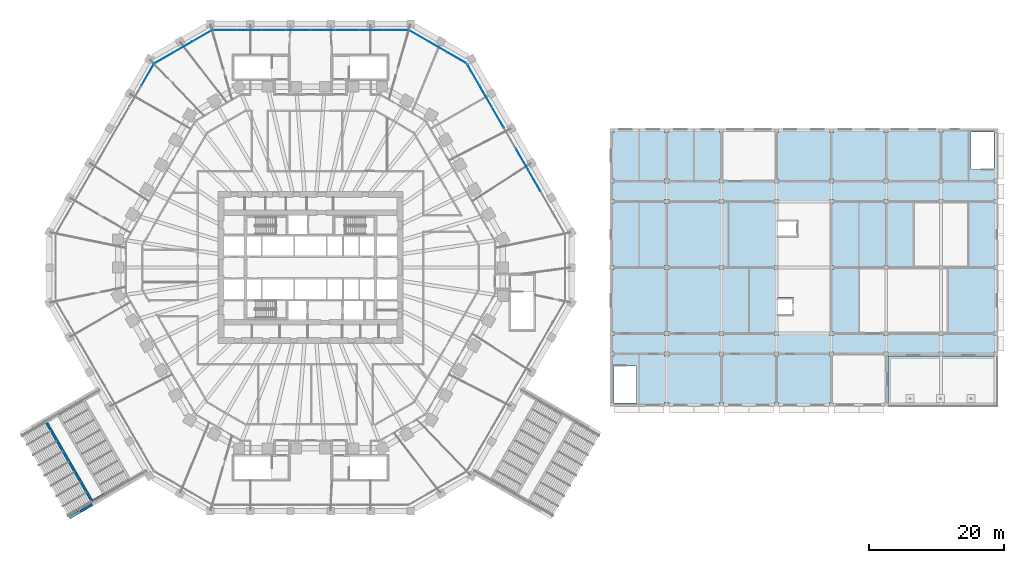
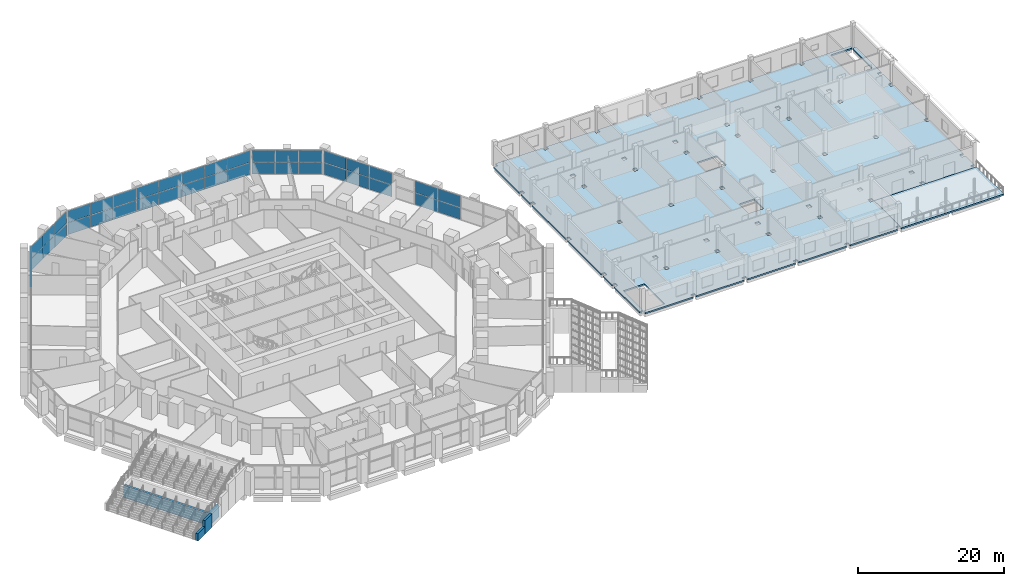
# One storey, part 18 of 38: 40 plates, 4 walls, 2 slabs, 5 elements without a shape of their own.
"""IFC4 building model written with IfcOpenShell, lengths in metres."""

from ifc_helpers import new_model, si_unit, direction, frame, frame_2d, origin, origin_2d, place, context, subcontext, project, spatial, polyline, rectangle, outline, extrude, material, layer, layer_set, type_object, element, aggregate, save


model = new_model("IFC4")

# Units and contexts
model_context = context("Model", 3, precision=1e-05, world=origin(), true_north=direction((0.0, 1.0)))
body_context = subcontext(model_context, "Body", "Model", "MODEL_VIEW")
ifc_project = project(units=[si_unit("LENGTHUNIT", "METRE"), si_unit("AREAUNIT", "SQUARE_METRE"), si_unit("VOLUMEUNIT", "CUBIC_METRE"), si_unit("PLANEANGLEUNIT", "RADIAN"), si_unit("MASSUNIT", "GRAM", prefix="KILO")], contexts=[model_context])

# Site, building, storey
site_placement = place(None, origin())
site = spatial("IfcSite", under=ifc_project, at=site_placement, CompositionType="ELEMENT")
building_placement = place(site_placement, origin())
building = spatial("IfcBuilding", under=site, at=building_placement, Name="Frailejon Research Tower", CompositionType="ELEMENT")
storey_placement = place(building_placement, frame((0.0, 0.0, 10.199951171875)))
storey = spatial("IfcBuildingStorey", under=building, at=storey_placement, Name="L02", CompositionType="ELEMENT", Elevation=10.199951171875)

# Slabs
ifc_material_1 = material(Name="Concrete C35/45", Category="concrete")
ifc_layer_1 = layer(ifc_material_1, 0.25)
ifc_layer_set_1 = layer_set([ifc_layer_1], Name="HC flat slab 250")
slab_type_1 = type_object("IfcSlabType", Name="HC flat slab 250", PredefinedType="FLOOR", material=ifc_layer_set_1)
slab_1_placement = place(storey_placement, frame((0.0, 0.0, -0.25)))
element("IfcSlab", 1, at=slab_1_placement, inside=storey, type_object=slab_type_1, Name="HC floor slab L02", PredefinedType="FLOOR", context=body_context, shape_type="SweptSolid", body=[
    extrude(outline(polyline([(77.201904296875, -20.550048828125), (77.201904296875, -19.947998046875), (76.597900390625, -19.947998046875), (76.597900390625, -20.550048828125), (69.10205078125, -20.550048828125), (69.10205078125, -19.947998046875), (68.498046875, -19.947998046875), (68.498046875, -20.550048828125), (61.001953125, -20.550048828125), (61.001953125, -19.947998046875), (60.39794921875, -19.947998046875), (60.39794921875, -20.550048828125), (52.902099609375, -20.550048828125), (52.902099609375, -19.947998046875), (52.298095703125, -19.947998046875), (52.298095703125, -20.550048828125), (44.802001953125, -20.550048828125), (44.802001953125, -20.02001953125), (48.14990234375, -20.02001953125), (48.14990234375, -14.5029296875), (44.800048828125, -14.5029296875), (44.800048828125, -19.947998046875), (44.199951171875, -19.947998046875), (44.199951171875, -13.052001953125), (44.802001953125, -13.052001953125), (44.802001953125, -12.447998046875), (44.199951171875, -12.447998046875), (44.199951171875, -10.052001953125), (44.802001953125, -10.052001953125), (44.802001953125, -9.447998046875), (44.199951171875, -9.447998046875), (44.199951171875, -0.302001953125), (44.802001953125, -0.302001953125), (44.802001953125, 0.302001953125), (44.199951171875, 0.302001953125), (44.199951171875, 9.447998046875), (44.802001953125, 9.447998046875), (44.802001953125, 10.052001953125), (44.199951171875, 10.052001953125), (44.199951171875, 12.447998046875), (44.802001953125, 12.447998046875), (44.802001953125, 13.052001953125), (44.199951171875, 13.052001953125), (44.199951171875, 19.947998046875), (44.802001953125, 19.947998046875), (44.802001953125, 20.550048828125), (52.298095703125, 20.550048828125), (52.298095703125, 19.947998046875), (52.902099609375, 19.947998046875), (52.902099609375, 20.550048828125), (60.39794921875, 20.550048828125), (60.39794921875, 19.947998046875), (61.001953125, 19.947998046875), (61.001953125, 20.550048828125), (68.498046875, 20.550048828125), (68.498046875, 19.947998046875), (69.10205078125, 19.947998046875), (69.10205078125, 20.550048828125), (76.597900390625, 20.550048828125), (76.597900390625, 19.947998046875), (77.201904296875, 19.947998046875), (77.201904296875, 20.550048828125), (84.697998046875, 20.550048828125), (84.697998046875, 19.947998046875), (85.302001953125, 19.947998046875), (85.302001953125, 20.550048828125), (92.798095703125, 20.550048828125), (92.798095703125, 19.947998046875), (93.402099609375, 19.947998046875), (93.402099609375, 20.550048828125), (100.89794921875, 20.550048828125), (100.89794921875, 20.02001953125), (97.550048828125, 20.02001953125), (97.550048828125, 14.5029296875), (100.89990234375, 14.5029296875), (100.89990234375, 19.947998046875), (101.5, 19.947998046875), (101.5, 13.052001953125), (100.89794921875, 13.052001953125), (100.89794921875, 12.447998046875), (101.5, 12.447998046875), (101.5, 10.052001953125), (100.89794921875, 10.052001953125), (100.89794921875, 9.447998046875), (101.5, 9.447998046875), (101.5, 0.302001953125), (100.89794921875, 0.302001953125), (100.89794921875, -0.302001953125), (101.5, -0.302001953125), (101.5, -9.447998046875), (100.89794921875, -9.447998046875), (100.89794921875, -10.052001953125), (101.5, -10.052001953125), (101.5, -12.447998046875), (100.89794921875, -12.447998046875), (100.89794921875, -13.050048828125), (93.402099609375, -13.050048828125), (93.402099609375, -12.447998046875), (92.798095703125, -12.447998046875), (92.798095703125, -13.050048828125), (85.302001953125, -13.050048828125), (85.302001953125, -12.447998046875), (84.697998046875, -12.447998046875), (84.697998046875, -13.052001953125), (85.300048828125, -13.052001953125), (85.300048828125, -19.947998046875), (84.697998046875, -19.947998046875), (84.697998046875, -20.550048828125), (77.201904296875, -20.550048828125)]), holes=[polyline([(92.798095703125, 12.447998046875), (93.402099609375, 12.447998046875), (93.402099609375, 13.052001953125), (92.798095703125, 13.052001953125), (92.798095703125, 12.447998046875)]), polyline([(92.798095703125, 9.447998046875), (93.402099609375, 9.447998046875), (93.402099609375, 10.052001953125), (92.798095703125, 10.052001953125), (92.798095703125, 9.447998046875)]), polyline([(92.798095703125, -0.302001953125), (93.402099609375, -0.302001953125), (93.402099609375, 0.302001953125), (92.798095703125, 0.302001953125), (92.798095703125, -0.302001953125)]), polyline([(92.798095703125, -10.052001953125), (93.402099609375, -10.052001953125), (93.402099609375, -9.447998046875), (92.798095703125, -9.447998046875), (92.798095703125, -10.052001953125)]), polyline([(84.697998046875, 12.447998046875), (85.302001953125, 12.447998046875), (85.302001953125, 13.052001953125), (84.697998046875, 13.052001953125), (84.697998046875, 12.447998046875)]), polyline([(84.697998046875, 9.447998046875), (85.302001953125, 9.447998046875), (85.302001953125, 10.052001953125), (84.697998046875, 10.052001953125), (84.697998046875, 9.447998046875)]), polyline([(84.697998046875, -0.302001953125), (85.302001953125, -0.302001953125), (85.302001953125, 0.302001953125), (84.697998046875, 0.302001953125), (84.697998046875, -0.302001953125)]), polyline([(84.697998046875, -10.052001953125), (85.302001953125, -10.052001953125), (85.302001953125, -9.447998046875), (84.697998046875, -9.447998046875), (84.697998046875, -10.052001953125)]), polyline([(77.201904296875, 12.447998046875), (77.201904296875, 13.052001953125), (76.597900390625, 13.052001953125), (76.597900390625, 12.447998046875), (77.201904296875, 12.447998046875)]), polyline([(76.597900390625, 9.447998046875), (77.201904296875, 9.447998046875), (77.201904296875, 10.052001953125), (76.597900390625, 10.052001953125), (76.597900390625, 9.447998046875)]), polyline([(76.597900390625, -0.302001953125), (77.201904296875, -0.302001953125), (77.201904296875, 0.302001953125), (76.597900390625, 0.302001953125), (76.597900390625, -0.302001953125)]), polyline([(76.597900390625, -10.052001953125), (77.201904296875, -10.052001953125), (77.201904296875, -9.447998046875), (76.597900390625, -9.447998046875), (76.597900390625, -10.052001953125)]), polyline([(76.597900390625, -13.052001953125), (77.201904296875, -13.052001953125), (77.201904296875, -12.447998046875), (76.597900390625, -12.447998046875), (76.597900390625, -13.052001953125)]), polyline([(68.89990234375, 4.5), (72.0, 4.5), (72.0, 7.0), (68.89990234375, 7.0), (68.89990234375, 4.5)]), polyline([(68.89990234375, -7.10009765625), (71.300048828125, -7.10009765625), (71.300048828125, -4.5), (68.89990234375, -4.5), (68.89990234375, -7.10009765625)]), polyline([(69.10205078125, -0.302001953125), (69.10205078125, 0.302001953125), (68.498046875, 0.302001953125), (68.498046875, -0.302001953125), (69.10205078125, -0.302001953125)]), polyline([(68.498046875, 12.447998046875), (69.10205078125, 12.447998046875), (69.10205078125, 13.052001953125), (68.498046875, 13.052001953125), (68.498046875, 12.447998046875)]), polyline([(68.498046875, 9.447998046875), (69.10205078125, 9.447998046875), (69.10205078125, 10.052001953125), (68.498046875, 10.052001953125), (68.498046875, 9.447998046875)]), polyline([(68.498046875, -10.052001953125), (69.10205078125, -10.052001953125), (69.10205078125, -9.447998046875), (68.498046875, -9.447998046875), (68.498046875, -10.052001953125)]), polyline([(68.498046875, -13.052001953125), (69.10205078125, -13.052001953125), (69.10205078125, -12.447998046875), (68.498046875, -12.447998046875), (68.498046875, -13.052001953125)]), polyline([(60.39794921875, 12.447998046875), (61.001953125, 12.447998046875), (61.001953125, 13.052001953125), (60.39794921875, 13.052001953125), (60.39794921875, 12.447998046875)]), polyline([(60.39794921875, 9.447998046875), (61.001953125, 9.447998046875), (61.001953125, 10.052001953125), (60.39794921875, 10.052001953125), (60.39794921875, 9.447998046875)]), polyline([(60.39794921875, -0.302001953125), (61.001953125, -0.302001953125), (61.001953125, 0.302001953125), (60.39794921875, 0.302001953125), (60.39794921875, -0.302001953125)]), polyline([(60.39794921875, -10.052001953125), (61.001953125, -10.052001953125), (61.001953125, -9.447998046875), (60.39794921875, -9.447998046875), (60.39794921875, -10.052001953125)]), polyline([(60.39794921875, -13.052001953125), (61.001953125, -13.052001953125), (61.001953125, -12.447998046875), (60.39794921875, -12.447998046875), (60.39794921875, -13.052001953125)]), polyline([(52.298095703125, -13.052001953125), (52.902099609375, -13.052001953125), (52.902099609375, -12.447998046875), (52.298095703125, -12.447998046875), (52.298095703125, -13.052001953125)]), polyline([(52.902099609375, 12.447998046875), (52.902099609375, 13.052001953125), (52.298095703125, 13.052001953125), (52.298095703125, 12.447998046875), (52.902099609375, 12.447998046875)]), polyline([(52.298095703125, 9.447998046875), (52.902099609375, 9.447998046875), (52.902099609375, 10.052001953125), (52.298095703125, 10.052001953125), (52.298095703125, 9.447998046875)]), polyline([(52.298095703125, -0.302001953125), (52.902099609375, -0.302001953125), (52.902099609375, 0.302001953125), (52.298095703125, 0.302001953125), (52.298095703125, -0.302001953125)]), polyline([(52.298095703125, -10.052001953125), (52.902099609375, -10.052001953125), (52.902099609375, -9.447998046875), (52.298095703125, -9.447998046875), (52.298095703125, -10.052001953125)])]), origin(), (0.0, 0.0, 1.0), 0.25),
])
ifc_material_2 = material(Name="Concrete C35/45", Category="concrete")
ifc_layer_2 = layer(ifc_material_2, 0.25)
ifc_layer_set_2 = layer_set([ifc_layer_2], Name="HC terrace slab 250")
slab_type_2 = type_object("IfcSlabType", Name="HC terrace slab 250", PredefinedType="ROOF", material=ifc_layer_set_2)
slab_2_placement = place(storey_placement, frame((0.0, 0.0, -0.25)))
element("IfcSlab", 2, at=slab_2_placement, inside=storey, type_object=slab_type_2, Name="HC roof garden terrace slab", PredefinedType="ROOF", context=body_context, shape_type="SweptSolid", body=[
    extrude(outline(polyline([(101.5, -20.550048828125), (101.5, -13.050048828125), (85.300048828125, -13.050048828125), (85.300048828125, -20.550048828125), (101.5, -20.550048828125)])), origin(), (0.0, 0.0, 1.0), 0.25),
])

# Curtain wall, plates
ifc_material_3 = material(Name="Aluminium curtain wall", Category="aluminium")
curtain_wall_type = type_object("IfcCurtainWallType", Name="Podium stick curtain wall system", PredefinedType="NOTDEFINED", material=ifc_material_3)
curtain_wall_1_placement = place(storey_placement, origin())
curtain_wall_1 = element("IfcCurtainWall", 3, at=curtain_wall_1_placement, inside=storey, type_object=curtain_wall_type, Name="Curtain wall L02", PredefinedType="NOTDEFINED")
ifc_material_4 = material(Name="Clear laminated glass", Category="glass")
ifc_layer_3 = layer(ifc_material_4, 0.031982421875)
ifc_layer_set_3 = layer_set([ifc_layer_3], Name="Podium stick curtain wall glass panel 32")
plate_type = type_object("IfcPlateType", Name="Podium stick curtain wall glass panel 32", PredefinedType="CURTAIN_PANEL", material=ifc_layer_set_3)
plate_1_placement = place(storey_placement, frame((33.059814453125, 12.838623046875, 0.06005859375), z_axis=(0.0, 0.0, 1.0), x_axis=(-0.499998396888, 0.86602632934, 0.0)))
plate_1 = element("IfcPlate", 4, at=plate_1_placement, type_object=plate_type, Name="CW2-034 panel 3.1", PredefinedType="CURTAIN_PANEL", context=body_context, shape_type="SweptSolid", body=[
    extrude(rectangle(XDim=3.547607421875, YDim=0.031982421875, at=origin_2d()), origin(), (0.0, 0.0, 1.0), 1.9599609375),
])
plate_2_placement = place(storey_placement, frame((33.059814453125, 12.838623046875, 2.080078125), z_axis=(0.0, 0.0, 1.0), x_axis=(-0.499998396888, 0.86602632934, 0.0)))
plate_2 = element("IfcPlate", 5, at=plate_2_placement, type_object=plate_type, Name="CW2-034 panel 3.2", PredefinedType="CURTAIN_PANEL", context=body_context, shape_type="SweptSolid", body=[
    extrude(rectangle(XDim=3.547607421875, YDim=0.031982421875, at=origin_2d()), origin(), (0.0, 0.0, 1.0), 1.9599609375),
])
plate_3_placement = place(storey_placement, frame((31.256103515625, 15.962890625, 0.06005859375), z_axis=(0.0, 0.0, 1.0), x_axis=(-0.499998396888, 0.86602632934, 0.0)))
plate_3 = element("IfcPlate", 6, at=plate_3_placement, type_object=plate_type, Name="CW2-034 panel 4.1", PredefinedType="CURTAIN_PANEL", context=body_context, shape_type="SweptSolid", body=[
    extrude(rectangle(XDim=3.547607421875, YDim=0.031982421875, at=origin_2d()), origin(), (0.0, 0.0, 1.0), 1.9599609375),
])
plate_4_placement = place(storey_placement, frame((31.256103515625, 15.962890625, 2.080078125), z_axis=(0.0, 0.0, 1.0), x_axis=(-0.499998396888, 0.86602632934, 0.0)))
plate_4 = element("IfcPlate", 7, at=plate_4_placement, type_object=plate_type, Name="CW2-034 panel 4.2", PredefinedType="CURTAIN_PANEL", context=body_context, shape_type="SweptSolid", body=[
    extrude(rectangle(XDim=3.547607421875, YDim=0.031982421875, at=origin_2d()), origin(), (0.0, 0.0, 1.0), 1.9599609375),
])
plate_5_placement = place(storey_placement, frame((27.648681640625, 22.211181640625, 0.06005859375), z_axis=(0.0, 0.0, 1.0), x_axis=(-0.499998396888, 0.86602632934, 0.0)))
plate_5 = element("IfcPlate", 8, at=plate_5_placement, type_object=plate_type, Name="CW2-034 panel 6.1", PredefinedType="CURTAIN_PANEL", context=body_context, shape_type="SweptSolid", body=[
    extrude(rectangle(XDim=3.547607421875, YDim=0.031982421875, at=origin_2d()), origin(), (0.0, 0.0, 1.0), 1.9599609375),
])
plate_6_placement = place(storey_placement, frame((27.648681640625, 22.211181640625, 2.080078125), z_axis=(0.0, 0.0, 1.0), x_axis=(-0.499998396888, 0.86602632934, 0.0)))
plate_6 = element("IfcPlate", 9, at=plate_6_placement, type_object=plate_type, Name="CW2-034 panel 6.2", PredefinedType="CURTAIN_PANEL", context=body_context, shape_type="SweptSolid", body=[
    extrude(rectangle(XDim=3.547607421875, YDim=0.031982421875, at=origin_2d()), origin(), (0.0, 0.0, 1.0), 1.9599609375),
])
plate_7_placement = place(storey_placement, frame((25.8447265625, 25.33544921875, 0.06005859375), z_axis=(0.0, 0.0, 1.0), x_axis=(-0.499998396888, 0.86602632934, 0.0)))
plate_7 = element("IfcPlate", 10, at=plate_7_placement, type_object=plate_type, Name="CW2-034 panel 7.1", PredefinedType="CURTAIN_PANEL", context=body_context, shape_type="SweptSolid", body=[
    extrude(rectangle(XDim=3.547607421875, YDim=0.031982421875, at=origin_2d()), origin(), (0.0, 0.0, 1.0), 1.9599609375),
])
plate_8_placement = place(storey_placement, frame((25.8447265625, 25.33544921875, 2.080078125), z_axis=(0.0, 0.0, 1.0), x_axis=(-0.499998396888, 0.86602632934, 0.0)))
plate_8 = element("IfcPlate", 11, at=plate_8_placement, type_object=plate_type, Name="CW2-034 panel 7.2", PredefinedType="CURTAIN_PANEL", context=body_context, shape_type="SweptSolid", body=[
    extrude(rectangle(XDim=3.547607421875, YDim=0.031982421875, at=origin_2d()), origin(), (0.0, 0.0, 1.0), 1.9599609375),
])
plate_9_placement = place(storey_placement, frame((24.048583984375, 28.44677734375, 0.06005859375), z_axis=(0.0, 0.0, 1.0), x_axis=(-0.499998396888, 0.86602632934, 0.0)))
plate_9 = element("IfcPlate", 12, at=plate_9_placement, type_object=plate_type, Name="CW2-034 panel 8.1", PredefinedType="CURTAIN_PANEL", context=body_context, shape_type="SweptSolid", body=[
    extrude(rectangle(XDim=3.517578125, YDim=0.031982421875, at=origin_2d()), origin(), (0.0, 0.0, 1.0), 1.9599609375),
])
plate_10_placement = place(storey_placement, frame((24.048583984375, 28.44677734375, 2.080078125), z_axis=(0.0, 0.0, 1.0), x_axis=(-0.499998396888, 0.86602632934, 0.0)))
plate_10 = element("IfcPlate", 13, at=plate_10_placement, type_object=plate_type, Name="CW2-034 panel 8.2", PredefinedType="CURTAIN_PANEL", context=body_context, shape_type="SweptSolid", body=[
    extrude(rectangle(XDim=3.517578125, YDim=0.031982421875, at=origin_2d()), origin(), (0.0, 0.0, 1.0), 1.9599609375),
])
aggregate(curtain_wall_1, [plate_1, plate_2, plate_3, plate_4, plate_5, plate_6, plate_7, plate_8, plate_9, plate_10])

curtain_wall_2_placement = place(storey_placement, origin())
curtain_wall_2 = element("IfcCurtainWall", 14, at=curtain_wall_2_placement, inside=storey, type_object=curtain_wall_type, Name="Curtain wall L02", PredefinedType="NOTDEFINED")
plate_11_placement = place(storey_placement, frame((21.592041015625, 30.972900390625, 0.06005859375), z_axis=(0.0, 0.0, 1.0), x_axis=(-0.866025476338, 0.499999874334, 0.0)))
plate_11 = element("IfcPlate", 15, at=plate_11_placement, type_object=plate_type, Name="CW2-035 panel 1.1", PredefinedType="CURTAIN_PANEL", context=body_context, shape_type="SweptSolid", body=[
    extrude(rectangle(XDim=3.1376953125, YDim=0.031982421875, at=origin_2d()), origin(), (0.0, 0.0, 1.0), 1.9599609375),
])
plate_12_placement = place(storey_placement, frame((21.592041015625, 30.972900390625, 2.080078125), z_axis=(0.0, 0.0, 1.0), x_axis=(-0.866025476338, 0.499999874334, 0.0)))
plate_12 = element("IfcPlate", 16, at=plate_12_placement, type_object=plate_type, Name="CW2-035 panel 1.2", PredefinedType="CURTAIN_PANEL", context=body_context, shape_type="SweptSolid", body=[
    extrude(rectangle(XDim=3.1376953125, YDim=0.031982421875, at=origin_2d()), origin(), (0.0, 0.0, 1.0), 1.9599609375),
])
plate_13_placement = place(storey_placement, frame((18.8095703125, 32.5791015625, 0.06005859375), z_axis=(0.0, 0.0, 1.0), x_axis=(-0.866025476338, 0.499999874334, 0.0)))
plate_13 = element("IfcPlate", 17, at=plate_13_placement, type_object=plate_type, Name="CW2-035 panel 2.1", PredefinedType="CURTAIN_PANEL", context=body_context, shape_type="SweptSolid", body=[
    extrude(rectangle(XDim=3.167724609375, YDim=0.031982421875, at=origin_2d()), origin(), (0.0, 0.0, 1.0), 1.9599609375),
])
plate_14_placement = place(storey_placement, frame((18.8095703125, 32.5791015625, 2.080078125), z_axis=(0.0, 0.0, 1.0), x_axis=(-0.866025476338, 0.499999874334, 0.0)))
plate_14 = element("IfcPlate", 18, at=plate_14_placement, type_object=plate_type, Name="CW2-035 panel 2.2", PredefinedType="CURTAIN_PANEL", context=body_context, shape_type="SweptSolid", body=[
    extrude(rectangle(XDim=3.167724609375, YDim=0.031982421875, at=origin_2d()), origin(), (0.0, 0.0, 1.0), 1.9599609375),
])
plate_15_placement = place(storey_placement, frame((16.02734375, 34.185546875, 0.06005859375), z_axis=(0.0, 0.0, 1.0), x_axis=(-0.866025476338, 0.499999874334, 0.0)))
plate_15 = element("IfcPlate", 19, at=plate_15_placement, type_object=plate_type, Name="CW2-035 panel 3.1", PredefinedType="CURTAIN_PANEL", context=body_context, shape_type="SweptSolid", body=[
    extrude(rectangle(XDim=3.1376953125, YDim=0.031982421875, at=origin_2d()), origin(), (0.0, 0.0, 1.0), 1.9599609375),
])
plate_16_placement = place(storey_placement, frame((16.02734375, 34.185546875, 2.080078125), z_axis=(0.0, 0.0, 1.0), x_axis=(-0.866025476338, 0.499999874334, 0.0)))
plate_16 = element("IfcPlate", 20, at=plate_16_placement, type_object=plate_type, Name="CW2-035 panel 3.2", PredefinedType="CURTAIN_PANEL", context=body_context, shape_type="SweptSolid", body=[
    extrude(rectangle(XDim=3.1376953125, YDim=0.031982421875, at=origin_2d()), origin(), (0.0, 0.0, 1.0), 1.9599609375),
])
aggregate(curtain_wall_2, [plate_11, plate_12, plate_13, plate_14, plate_15, plate_16])

curtain_wall_3_placement = place(storey_placement, origin())
curtain_wall_3 = element("IfcCurtainWall", 21, at=curtain_wall_3_placement, inside=storey, type_object=curtain_wall_type, Name="Curtain wall L02", PredefinedType="NOTDEFINED")
plate_17_placement = place(storey_placement, frame((12.611328125, 35.050048828125, 0.06005859375), z_axis=(0.0, 0.0, 1.0), x_axis=(-1.0, 0.0, 0.0)))
plate_17 = element("IfcPlate", 22, at=plate_17_placement, type_object=plate_type, Name="CW2-036 panel 1.1", PredefinedType="CURTAIN_PANEL", context=body_context, shape_type="SweptSolid", body=[
    extrude(rectangle(XDim=3.517578125, YDim=0.031982421875, at=origin_2d()), origin(), (0.0, 0.0, 1.0), 1.9599609375),
])
plate_18_placement = place(storey_placement, frame((12.611328125, 35.050048828125, 2.080078125), z_axis=(0.0, 0.0, 1.0), x_axis=(-1.0, 0.0, 0.0)))
plate_18 = element("IfcPlate", 23, at=plate_18_placement, type_object=plate_type, Name="CW2-036 panel 1.2", PredefinedType="CURTAIN_PANEL", context=body_context, shape_type="SweptSolid", body=[
    extrude(rectangle(XDim=3.517578125, YDim=0.031982421875, at=origin_2d()), origin(), (0.0, 0.0, 1.0), 1.9599609375),
])
plate_19_placement = place(storey_placement, frame((9.018798828125, 35.050048828125, 0.06005859375), z_axis=(0.0, 0.0, 1.0), x_axis=(-1.0, 0.0, 0.0)))
plate_19 = element("IfcPlate", 24, at=plate_19_placement, type_object=plate_type, Name="CW2-036 panel 2.1", PredefinedType="CURTAIN_PANEL", context=body_context, shape_type="SweptSolid", body=[
    extrude(rectangle(XDim=3.547607421875, YDim=0.031982421875, at=origin_2d()), origin(), (0.0, 0.0, 1.0), 1.9599609375),
])
plate_20_placement = place(storey_placement, frame((9.018798828125, 35.050048828125, 2.080078125), z_axis=(0.0, 0.0, 1.0), x_axis=(-1.0, 0.0, 0.0)))
plate_20 = element("IfcPlate", 25, at=plate_20_placement, type_object=plate_type, Name="CW2-036 panel 2.2", PredefinedType="CURTAIN_PANEL", context=body_context, shape_type="SweptSolid", body=[
    extrude(rectangle(XDim=3.547607421875, YDim=0.031982421875, at=origin_2d()), origin(), (0.0, 0.0, 1.0), 1.9599609375),
])
plate_21_placement = place(storey_placement, frame((5.411376953125, 35.050048828125, 0.06005859375), z_axis=(0.0, 0.0, 1.0), x_axis=(-1.0, 0.0, 0.0)))
plate_21 = element("IfcPlate", 26, at=plate_21_placement, type_object=plate_type, Name="CW2-036 panel 3.1", PredefinedType="CURTAIN_PANEL", context=body_context, shape_type="SweptSolid", body=[
    extrude(rectangle(XDim=3.547607421875, YDim=0.031982421875, at=origin_2d()), origin(), (0.0, 0.0, 1.0), 1.9599609375),
])
plate_22_placement = place(storey_placement, frame((5.411376953125, 35.050048828125, 2.080078125), z_axis=(0.0, 0.0, 1.0), x_axis=(-1.0, 0.0, 0.0)))
plate_22 = element("IfcPlate", 27, at=plate_22_placement, type_object=plate_type, Name="CW2-036 panel 3.2", PredefinedType="CURTAIN_PANEL", context=body_context, shape_type="SweptSolid", body=[
    extrude(rectangle(XDim=3.547607421875, YDim=0.031982421875, at=origin_2d()), origin(), (0.0, 0.0, 1.0), 1.9599609375),
])
plate_23_placement = place(storey_placement, frame((1.8037109375, 35.050048828125, 0.06005859375), z_axis=(0.0, 0.0, 1.0), x_axis=(-1.0, 0.0, 0.0)))
plate_23 = element("IfcPlate", 28, at=plate_23_placement, type_object=plate_type, Name="CW2-036 panel 4.1", PredefinedType="CURTAIN_PANEL", context=body_context, shape_type="SweptSolid", body=[
    extrude(rectangle(XDim=3.547607421875, YDim=0.031982421875, at=origin_2d()), origin(), (0.0, 0.0, 1.0), 1.9599609375),
])
plate_24_placement = place(storey_placement, frame((1.8037109375, 35.050048828125, 2.080078125), z_axis=(0.0, 0.0, 1.0), x_axis=(-1.0, 0.0, 0.0)))
plate_24 = element("IfcPlate", 29, at=plate_24_placement, type_object=plate_type, Name="CW2-036 panel 4.2", PredefinedType="CURTAIN_PANEL", context=body_context, shape_type="SweptSolid", body=[
    extrude(rectangle(XDim=3.547607421875, YDim=0.031982421875, at=origin_2d()), origin(), (0.0, 0.0, 1.0), 1.9599609375),
])
plate_25_placement = place(storey_placement, frame((-1.8037109375, 35.050048828125, 0.06005859375), z_axis=(0.0, 0.0, 1.0), x_axis=(-1.0, 0.0, 0.0)))
plate_25 = element("IfcPlate", 30, at=plate_25_placement, type_object=plate_type, Name="CW2-036 panel 5.1", PredefinedType="CURTAIN_PANEL", context=body_context, shape_type="SweptSolid", body=[
    extrude(rectangle(XDim=3.547607421875, YDim=0.031982421875, at=origin_2d()), origin(), (0.0, 0.0, 1.0), 1.9599609375),
])
plate_26_placement = place(storey_placement, frame((-1.8037109375, 35.050048828125, 2.080078125), z_axis=(0.0, 0.0, 1.0), x_axis=(-1.0, 0.0, 0.0)))
plate_26 = element("IfcPlate", 31, at=plate_26_placement, type_object=plate_type, Name="CW2-036 panel 5.2", PredefinedType="CURTAIN_PANEL", context=body_context, shape_type="SweptSolid", body=[
    extrude(rectangle(XDim=3.547607421875, YDim=0.031982421875, at=origin_2d()), origin(), (0.0, 0.0, 1.0), 1.9599609375),
])
plate_27_placement = place(storey_placement, frame((-5.411376953125, 35.050048828125, 0.06005859375), z_axis=(0.0, 0.0, 1.0), x_axis=(-1.0, 0.0, 0.0)))
plate_27 = element("IfcPlate", 32, at=plate_27_placement, type_object=plate_type, Name="CW2-036 panel 6.1", PredefinedType="CURTAIN_PANEL", context=body_context, shape_type="SweptSolid", body=[
    extrude(rectangle(XDim=3.547607421875, YDim=0.031982421875, at=origin_2d()), origin(), (0.0, 0.0, 1.0), 1.9599609375),
])
plate_28_placement = place(storey_placement, frame((-5.411376953125, 35.050048828125, 2.080078125), z_axis=(0.0, 0.0, 1.0), x_axis=(-1.0, 0.0, 0.0)))
plate_28 = element("IfcPlate", 33, at=plate_28_placement, type_object=plate_type, Name="CW2-036 panel 6.2", PredefinedType="CURTAIN_PANEL", context=body_context, shape_type="SweptSolid", body=[
    extrude(rectangle(XDim=3.547607421875, YDim=0.031982421875, at=origin_2d()), origin(), (0.0, 0.0, 1.0), 1.9599609375),
])
plate_29_placement = place(storey_placement, frame((-9.018798828125, 35.050048828125, 0.06005859375), z_axis=(0.0, 0.0, 1.0), x_axis=(-1.0, 0.0, 0.0)))
plate_29 = element("IfcPlate", 34, at=plate_29_placement, type_object=plate_type, Name="CW2-036 panel 7.1", PredefinedType="CURTAIN_PANEL", context=body_context, shape_type="SweptSolid", body=[
    extrude(rectangle(XDim=3.547607421875, YDim=0.031982421875, at=origin_2d()), origin(), (0.0, 0.0, 1.0), 1.9599609375),
])
plate_30_placement = place(storey_placement, frame((-9.018798828125, 35.050048828125, 2.080078125), z_axis=(0.0, 0.0, 1.0), x_axis=(-1.0, 0.0, 0.0)))
plate_30 = element("IfcPlate", 35, at=plate_30_placement, type_object=plate_type, Name="CW2-036 panel 7.2", PredefinedType="CURTAIN_PANEL", context=body_context, shape_type="SweptSolid", body=[
    extrude(rectangle(XDim=3.547607421875, YDim=0.031982421875, at=origin_2d()), origin(), (0.0, 0.0, 1.0), 1.9599609375),
])
plate_31_placement = place(storey_placement, frame((-12.611328125, 35.050048828125, 0.06005859375), z_axis=(0.0, 0.0, 1.0), x_axis=(-1.0, 0.0, 0.0)))
plate_31 = element("IfcPlate", 36, at=plate_31_placement, type_object=plate_type, Name="CW2-036 panel 8.1", PredefinedType="CURTAIN_PANEL", context=body_context, shape_type="SweptSolid", body=[
    extrude(rectangle(XDim=3.517578125, YDim=0.031982421875, at=origin_2d()), origin(), (0.0, 0.0, 1.0), 1.9599609375),
])
plate_32_placement = place(storey_placement, frame((-12.611328125, 35.050048828125, 2.080078125), z_axis=(0.0, 0.0, 1.0), x_axis=(-1.0, 0.0, 0.0)))
plate_32 = element("IfcPlate", 37, at=plate_32_placement, type_object=plate_type, Name="CW2-036 panel 8.2", PredefinedType="CURTAIN_PANEL", context=body_context, shape_type="SweptSolid", body=[
    extrude(rectangle(XDim=3.517578125, YDim=0.031982421875, at=origin_2d()), origin(), (0.0, 0.0, 1.0), 1.9599609375),
])
aggregate(curtain_wall_3, [plate_17, plate_18, plate_19, plate_20, plate_21, plate_22, plate_23, plate_24, plate_25, plate_26, plate_27, plate_28, plate_29, plate_30, plate_31, plate_32])

curtain_wall_4_placement = place(storey_placement, origin())
curtain_wall_4 = element("IfcCurtainWall", 38, at=curtain_wall_4_placement, inside=storey, type_object=curtain_wall_type, Name="Curtain wall L02", PredefinedType="NOTDEFINED")
plate_33_placement = place(storey_placement, frame((-16.02734375, 34.185546875, 0.06005859375), z_axis=(0.0, 0.0, 1.0), x_axis=(-0.866025476338, -0.499999874334, 0.0)))
plate_33 = element("IfcPlate", 39, at=plate_33_placement, type_object=plate_type, Name="CW2-037 panel 1.1", PredefinedType="CURTAIN_PANEL", context=body_context, shape_type="SweptSolid", body=[
    extrude(rectangle(XDim=3.1376953125, YDim=0.031982421875, at=origin_2d()), origin(), (0.0, 0.0, 1.0), 1.9599609375),
])
plate_34_placement = place(storey_placement, frame((-16.02734375, 34.185546875, 2.080078125), z_axis=(0.0, 0.0, 1.0), x_axis=(-0.866025476338, -0.499999874334, 0.0)))
plate_34 = element("IfcPlate", 40, at=plate_34_placement, type_object=plate_type, Name="CW2-037 panel 1.2", PredefinedType="CURTAIN_PANEL", context=body_context, shape_type="SweptSolid", body=[
    extrude(rectangle(XDim=3.1376953125, YDim=0.031982421875, at=origin_2d()), origin(), (0.0, 0.0, 1.0), 1.9599609375),
])
plate_35_placement = place(storey_placement, frame((-18.8095703125, 32.5791015625, 0.06005859375), z_axis=(0.0, 0.0, 1.0), x_axis=(-0.866025476338, -0.499999874334, 0.0)))
plate_35 = element("IfcPlate", 41, at=plate_35_placement, type_object=plate_type, Name="CW2-037 panel 2.1", PredefinedType="CURTAIN_PANEL", context=body_context, shape_type="SweptSolid", body=[
    extrude(rectangle(XDim=3.167724609375, YDim=0.031982421875, at=origin_2d()), origin(), (0.0, 0.0, 1.0), 1.9599609375),
])
plate_36_placement = place(storey_placement, frame((-18.8095703125, 32.5791015625, 2.080078125), z_axis=(0.0, 0.0, 1.0), x_axis=(-0.866025476338, -0.499999874334, 0.0)))
plate_36 = element("IfcPlate", 42, at=plate_36_placement, type_object=plate_type, Name="CW2-037 panel 2.2", PredefinedType="CURTAIN_PANEL", context=body_context, shape_type="SweptSolid", body=[
    extrude(rectangle(XDim=3.167724609375, YDim=0.031982421875, at=origin_2d()), origin(), (0.0, 0.0, 1.0), 1.9599609375),
])
plate_37_placement = place(storey_placement, frame((-21.592041015625, 30.972900390625, 0.06005859375), z_axis=(0.0, 0.0, 1.0), x_axis=(-0.866025476338, -0.499999874334, 0.0)))
plate_37 = element("IfcPlate", 43, at=plate_37_placement, type_object=plate_type, Name="CW2-037 panel 3.1", PredefinedType="CURTAIN_PANEL", context=body_context, shape_type="SweptSolid", body=[
    extrude(rectangle(XDim=3.1376953125, YDim=0.031982421875, at=origin_2d()), origin(), (0.0, 0.0, 1.0), 1.9599609375),
])
plate_38_placement = place(storey_placement, frame((-21.592041015625, 30.972900390625, 2.080078125), z_axis=(0.0, 0.0, 1.0), x_axis=(-0.866025476338, -0.499999874334, 0.0)))
plate_38 = element("IfcPlate", 44, at=plate_38_placement, type_object=plate_type, Name="CW2-037 panel 3.2", PredefinedType="CURTAIN_PANEL", context=body_context, shape_type="SweptSolid", body=[
    extrude(rectangle(XDim=3.1376953125, YDim=0.031982421875, at=origin_2d()), origin(), (0.0, 0.0, 1.0), 1.9599609375),
])
aggregate(curtain_wall_4, [plate_33, plate_34, plate_35, plate_36, plate_37, plate_38])

curtain_wall_5_placement = place(storey_placement, origin())
curtain_wall_5 = element("IfcCurtainWall", 45, at=curtain_wall_5_placement, inside=storey, type_object=curtain_wall_type, Name="Curtain wall L02", PredefinedType="NOTDEFINED")
plate_39_placement = place(storey_placement, frame((-24.048583984375, 28.44677734375, 0.06005859375), z_axis=(0.0, 0.0, 1.0), x_axis=(-0.499998396888, -0.86602632934, 0.0)))
plate_39 = element("IfcPlate", 46, at=plate_39_placement, type_object=plate_type, Name="CW2-038 panel 1.1", PredefinedType="CURTAIN_PANEL", context=body_context, shape_type="SweptSolid", body=[
    extrude(rectangle(XDim=3.517578125, YDim=0.031982421875, at=origin_2d()), origin(), (0.0, 0.0, 1.0), 1.9599609375),
])
plate_40_placement = place(storey_placement, frame((-24.048583984375, 28.44677734375, 2.080078125), z_axis=(0.0, 0.0, 1.0), x_axis=(-0.499998396888, -0.86602632934, 0.0)))
plate_40 = element("IfcPlate", 47, at=plate_40_placement, type_object=plate_type, Name="CW2-038 panel 1.2", PredefinedType="CURTAIN_PANEL", context=body_context, shape_type="SweptSolid", body=[
    extrude(rectangle(XDim=3.517578125, YDim=0.031982421875, at=origin_2d()), origin(), (0.0, 0.0, 1.0), 1.9599609375),
])
aggregate(curtain_wall_5, [plate_39, plate_40])

# Walls
ifc_material_5 = material(Name="Concrete C35/45", Category="concrete")
ifc_layer_4 = layer(ifc_material_5, 0.39990234375)
ifc_layer_set_4 = layer_set([ifc_layer_4], Name="Stair plinth wall 400")
wall_type = type_object("IfcWallType", Name="Stair plinth wall 400", PredefinedType="SOLIDWALL", material=ifc_layer_set_4)
wall_1_placement = place(storey_placement, frame((-30.25244140625, -33.401123046875, 0.0), z_axis=(0.0, 0.0, 1.0), x_axis=(-0.866022959057, -0.500004234368, 0.0)))
element("IfcWall", 48, at=wall_1_placement, inside=storey, type_object=wall_type, Name="Broad stair W plinth", PredefinedType="SOLIDWALL", context=body_context, shape_type="SweptSolid", body=[
    extrude(rectangle(XDim=2.5, YDim=0.39990234375, at=frame_2d((1.25, 0.0))), origin(), (0.0, 0.0, 1.0), 2.0),
])
wall_2_placement = place(storey_placement, frame((-38.9443359375, -22.9462890625, 0.0), z_axis=(0.0, 0.0, 1.0), x_axis=(0.500002094529, -0.866024194504, 0.0)))
element("IfcWall", 49, at=wall_2_placement, inside=storey, type_object=wall_type, Name="Broad stair W plinth", PredefinedType="SOLIDWALL", context=body_context, shape_type="SweptSolid", body=[
    extrude(rectangle(XDim=13.2001953125, YDim=0.39990234375, at=frame_2d((6.60009765625, 0.0))), origin(), (0.0, 0.0, 1.0), 2.0),
])
wall_3_placement = place(storey_placement, frame((-32.217529296875, -34.99755859375, 0.0), z_axis=(0.0, 0.0, 1.0), x_axis=(-0.866000020948, -0.500043961785, 0.0)))
element("IfcWall", 50, at=wall_3_placement, inside=storey, type_object=wall_type, Name="Broad stair W cheek wall", PredefinedType="SOLIDWALL", context=body_context, shape_type="SweptSolid", body=[
    extrude(rectangle(XDim=1.949951171875, YDim=0.39990234375, at=frame_2d((0.97509765625, 0.0))), origin(), (0.0, 0.0, 1.0), 2.199951171875),
])
wall_4_placement = place(storey_placement, frame((-33.90625, -35.97265625, 0.0), z_axis=(0.0, 0.0, 1.0), x_axis=(-0.866085525409, -0.49989585183, 0.0)))
element("IfcWall", 51, at=wall_4_placement, inside=storey, type_object=wall_type, Name="Broad stair W cheek wall", PredefinedType="SOLIDWALL", context=body_context, shape_type="SweptSolid", body=[
    extrude(rectangle(XDim=1.9501953125, YDim=0.39990234375, at=frame_2d((0.97509765625, 0.0))), origin(), (0.0, 0.0, 1.0), 1.1787109375),
])

save(model, "model.ifc")
